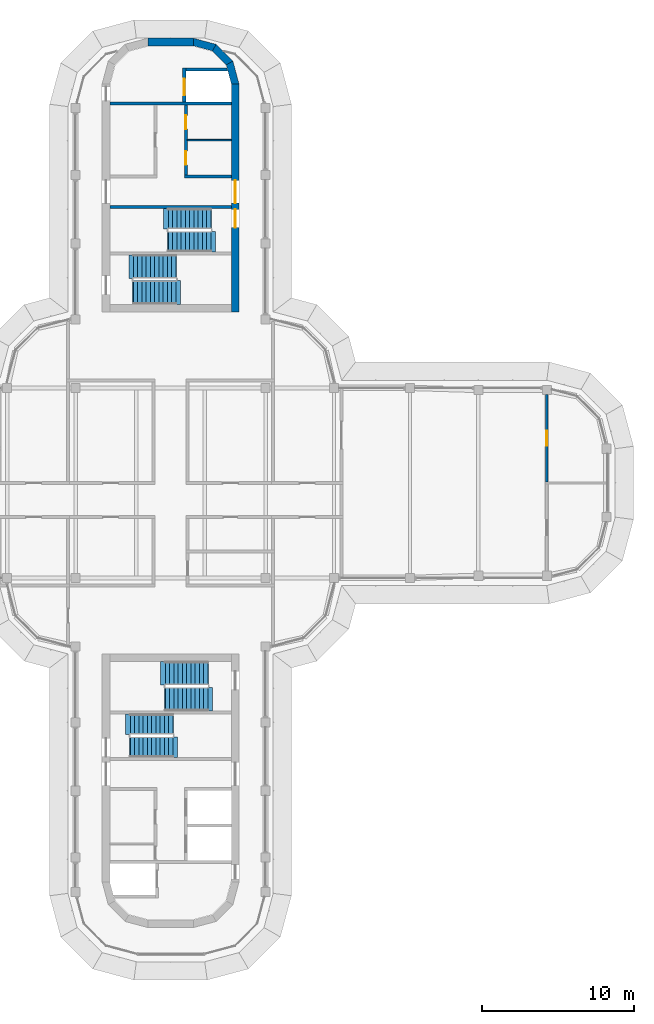
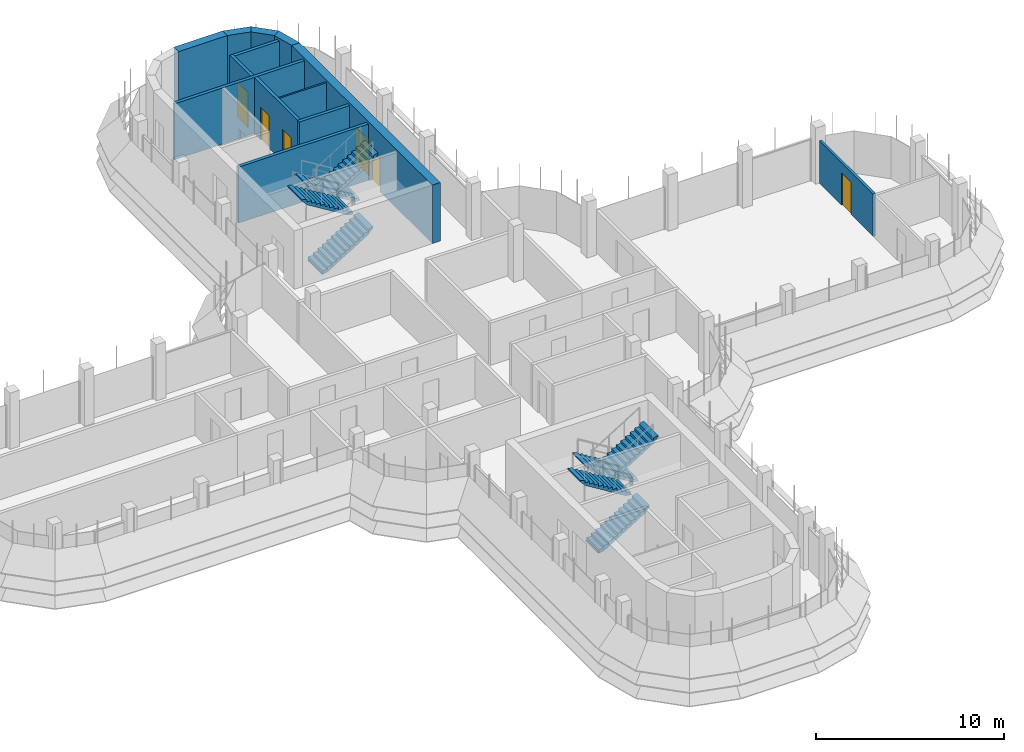
# One storey, part 15 of 19: 13 walls, 8 stair flights, 6 doors, 6 openings, 4 elements without a shape of their own.
"""IFC4 building model written with IfcOpenShell, lengths in metres."""

from ifc_helpers import new_model, si_unit, direction, frame, frame_2d, origin, place, context, subcontext, project, spatial, polyline, rectangle, outline, extrude, material, layer, layer_set, type_object, element, fill, aggregate, save


model = new_model("IFC4")

# Units and contexts
model_context = context("Model", 3, precision=1e-05, world=origin(), true_north=direction((0.0, 1.0)))
body_context = subcontext(model_context, "Body", "Model", "MODEL_VIEW")
ifc_project = project(units=[si_unit("LENGTHUNIT", "METRE"), si_unit("AREAUNIT", "SQUARE_METRE"), si_unit("VOLUMEUNIT", "CUBIC_METRE"), si_unit("PLANEANGLEUNIT", "RADIAN"), si_unit("MASSUNIT", "GRAM", prefix="KILO")], contexts=[model_context])

# Site, building, storey
site_placement = place(None, origin())
site = spatial("IfcSite", under=ifc_project, at=site_placement, CompositionType="ELEMENT")
building_placement = place(site_placement, origin())
building = spatial("IfcBuilding", under=site, at=building_placement, Name="Zarbagh Exchange Tower", CompositionType="ELEMENT")
storey_placement = place(building_placement, frame((0.0, 0.0, 280.199951171875)))
storey = spatial("IfcBuildingStorey", under=building, at=storey_placement, Name="L69", CompositionType="ELEMENT", Elevation=280.199951171875)

# Wall
ifc_material_1 = material(Name="Dense blockwork", Category="masonry")
ifc_layer_1 = layer(ifc_material_1, 0.10009765625)
ifc_layer_set_1 = layer_set([ifc_layer_1], Name="Core partition 100 mm blockwork")
wall_type_1 = type_object("IfcWallType", Name="Core partition 100 mm blockwork", PredefinedType="PARTITIONING", material=ifc_layer_set_1)
wall_1_placement = place(storey_placement, frame((1.10009765625, 22.550048828125, 0.0), z_axis=(0.0, 0.0, 1.0), x_axis=(1.0, 0.0, 0.0)))
element("IfcWall", 1, at=wall_1_placement, inside=storey, type_object=wall_type_1, Name="North core partition wall CUT-E-580", PredefinedType="PARTITIONING", context=body_context, shape_type="SweptSolid", body=[
    extrude(rectangle(XDim=2.89990234375, YDim=0.10009765625, at=frame_2d((1.449951171875, 0.0))), origin(), (0.0, 0.0, 1.0), 3.650146484375),
])

# Wall, opening, door
ifc_material_2 = material(Name="Plasterboard partition")
ifc_layer_2 = layer(ifc_material_2, 0.14990234375)
ifc_layer_set_2 = layer_set([ifc_layer_2], Name="PARTITION 150")
wall_type_2 = type_object("IfcWallType", Name="PARTITION 150", PredefinedType="PARTITIONING", material=ifc_layer_set_2)
wall_2_placement = place(storey_placement, frame((24.75, 5.81005859375, 0.0), z_axis=(0.0, 0.0, 1.0), x_axis=(0.0, -1.0, 0.0)))
wall_2 = element("IfcWall", 2, at=wall_2_placement, inside=storey, type_object=wall_type_2, Name="Partition W-2935", PredefinedType="PARTITIONING", context=body_context, shape_type="SweptSolid", body=[
    extrude(rectangle(XDim=5.735107421875, YDim=0.14990234375, at=frame_2d((2.86767578125, 0.0))), origin(), (0.0, 0.0, 1.0), 2.75),
])
opening_1_placement = place(wall_2_placement, frame((2.367431640625, 0.0, 0.0)))
opening_1 = element("IfcOpeningElement", 3, at=opening_1_placement, cuts=wall_2, Name="Opening D-2901", PredefinedType="OPENING", context=body_context, shape_type="SweptSolid", body=[
    extrude(rectangle(XDim=1.0, YDim=2.10009765625, at=frame_2d((0.5, 1.050048828125))), frame((0.0, 0.0849609375, 0.0), z_axis=(0.0, -1.0, 0.0), x_axis=(1.0, 0.0, 0.0)), (0.0, 0.0, 1.0), 0.169921875),
])
ifc_material_3 = material(Name="Timber door leaf", Category="wood")
door_type_1 = type_object("IfcDoorType", Name="DOOR 1000 X 2100", OperationType="NOTDEFINED", PredefinedType="DOOR", material=ifc_material_3)
door_1_placement = place(opening_1_placement, origin())
door_1 = element("IfcDoor", 4, at=door_1_placement, inside=storey, type_object=door_type_1, Name="Door D-2901", OperationType="SINGLE_SWING_RIGHT", OverallHeight=2.10009765625, OverallWidth=1.0, PredefinedType="DOOR", context=body_context, shape_type="SweptSolid", body=[
    extrude(rectangle(XDim=1.0, YDim=2.10009765625, at=frame_2d((0.5, 1.050048828125))), frame((0.0, 0.02490234375, 0.0), z_axis=(0.0, -1.0, 0.0), x_axis=(1.0, 0.0, 0.0)), (0.0, 0.0, 1.0), 0.050048828125),
])
fill(opening_1, door_1)

# Walls
ifc_material_4 = material(Name="Concrete C40/50", Category="concrete")
ifc_layer_3 = layer(ifc_material_4, 0.5)
ifc_layer_set_3 = layer_set([ifc_layer_3], Name="RC core corner wall 500 C40/50")
wall_type_3 = type_object("IfcWallType", Name="RC core corner wall 500 C40/50", PredefinedType="SHEAR", material=ifc_layer_set_3)
wall_3_placement = place(storey_placement, origin())
element("IfcWall", 5, at=wall_3_placement, inside=storey, type_object=wall_type_3, Name="CW10 core N corner E", PredefinedType="SHEAR", context=body_context, shape_type="SweptSolid", body=[
    extrude(outline(polyline([(4.5, 26.25), (4.09814453125, 27.75), (3.6650390625, 27.5), (4.0, 26.25), (4.5, 26.25)])), origin(), (0.0, 0.0, 1.0), 3.800048828125),
])
wall_4_placement = place(storey_placement, origin())
element("IfcWall", 6, at=wall_4_placement, inside=storey, type_object=wall_type_3, Name="CW10 core N corner E", PredefinedType="SHEAR", context=body_context, shape_type="SweptSolid", body=[
    extrude(outline(polyline([(4.09814453125, 27.75), (3.0, 28.84814453125), (2.75, 28.4150390625), (3.6650390625, 27.5), (4.09814453125, 27.75)])), origin(), (0.0, 0.0, 1.0), 3.800048828125),
])
wall_5_placement = place(storey_placement, origin())
element("IfcWall", 7, at=wall_5_placement, inside=storey, type_object=wall_type_3, Name="CW10 core N corner E", PredefinedType="SHEAR", context=body_context, shape_type="SweptSolid", body=[
    extrude(outline(polyline([(3.0, 28.84814453125), (1.5, 29.25), (1.5, 28.75), (2.75, 28.4150390625), (3.0, 28.84814453125)])), origin(), (0.0, 0.0, 1.0), 3.800048828125),
])

# Wall, openings, doors
ifc_layer_4 = layer(ifc_material_4, 0.5)
ifc_layer_set_4 = layer_set([ifc_layer_4], Name="RC core wall 500 C40/50")
wall_type_4 = type_object("IfcWallType", Name="RC core wall 500 C40/50", PredefinedType="SHEAR", material=ifc_layer_set_4)
wall_6_placement = place(storey_placement, frame((4.25, 11.25, 0.0), z_axis=(0.0, 0.0, 1.0), x_axis=(0.0, 1.0, 0.0)))
wall_6 = element("IfcWall", 8, at=wall_6_placement, inside=storey, type_object=wall_type_4, Name="CW9 core N E", PredefinedType="SHEAR", context=body_context, shape_type="SweptSolid", body=[
    extrude(rectangle(XDim=15.0, YDim=0.5, at=frame_2d((7.5, 0.0))), origin(), (0.0, 0.0, 1.0), 3.800048828125),
])
opening_2_placement = place(wall_6_placement, frame((7.14990234375, 0.0, 0.0)))
opening_2 = element("IfcOpeningElement", 9, at=opening_2_placement, cuts=wall_6, Name="Opening CD1-1500", PredefinedType="OPENING", context=body_context, shape_type="SweptSolid", body=[
    extrude(rectangle(XDim=1.5, YDim=2.300048828125, at=frame_2d((0.75, 1.14990234375))), frame((0.0, 0.260009765625, 0.0), z_axis=(0.0, -1.0, 0.0), x_axis=(1.0, 0.0, 0.0)), (0.0, 0.0, 1.0), 0.52001953125),
])
opening_3_placement = place(wall_6_placement, frame((5.550048828125, 0.0, 0.0)))
opening_3 = element("IfcOpeningElement", 10, at=opening_3_placement, cuts=wall_6, Name="Opening SD1-1200", PredefinedType="OPENING", context=body_context, shape_type="SweptSolid", body=[
    extrude(rectangle(XDim=1.199951171875, YDim=2.10009765625, at=frame_2d((0.60009765625, 1.050048828125))), frame((0.0, 0.260009765625, 0.0), z_axis=(0.0, -1.0, 0.0), x_axis=(1.0, 0.0, 0.0)), (0.0, 0.0, 1.0), 0.52001953125),
])
ifc_material_5 = material(Name="Steel", Category="steel")
door_type_2 = type_object("IfcDoorType", Name="Exit stair door 1200 x 2100", OperationType="NOTDEFINED", PredefinedType="DOOR", material=ifc_material_5)
door_2_placement = place(opening_3_placement, origin())
door_2 = element("IfcDoor", 11, at=door_2_placement, inside=storey, type_object=door_type_2, Name="North core stair door ST1", OperationType="SINGLE_SWING_LEFT", OverallHeight=2.10009765625, OverallWidth=1.199951171875, PredefinedType="DOOR", context=body_context, shape_type="SweptSolid", body=[
    extrude(rectangle(XDim=1.199951171875, YDim=2.10009765625, at=frame_2d((0.60009765625, 1.050048828125))), frame((0.0, 0.02490234375, 0.0), z_axis=(0.0, -1.0, 0.0), x_axis=(1.0, 0.0, 0.0)), (0.0, 0.0, 1.0), 0.050048828125),
])
fill(opening_3, door_2)
door_type_3 = type_object("IfcDoorType", Name="Lift lobby double door 1500 x 2300", OperationType="NOTDEFINED", PredefinedType="DOOR", material=ifc_material_5)
door_3_placement = place(opening_2_placement, origin())
door_3 = element("IfcDoor", 12, at=door_3_placement, inside=storey, type_object=door_type_3, Name="North core lift lobby door LOBBY-E", OperationType="DOUBLE_DOOR_SINGLE_SWING", OverallHeight=2.300048828125, OverallWidth=1.5, PredefinedType="DOOR", context=body_context, shape_type="SweptSolid", body=[
    extrude(rectangle(XDim=1.5, YDim=2.300048828125, at=frame_2d((0.75, 1.14990234375))), frame((0.0, 0.02490234375, 0.0), z_axis=(0.0, -1.0, 0.0), x_axis=(1.0, 0.0, 0.0)), (0.0, 0.0, 1.0), 0.050048828125),
])
fill(opening_2, door_3)

# Walls
wall_7_placement = place(storey_placement, frame((-1.5, 29.0, 0.0), z_axis=(0.0, 0.0, 1.0), x_axis=(1.0, 0.0, 0.0)))
element("IfcWall", 13, at=wall_7_placement, inside=storey, type_object=wall_type_4, Name="CW9 core N outer end", PredefinedType="SHEAR", context=body_context, shape_type="SweptSolid", body=[
    extrude(rectangle(XDim=3.0, YDim=0.5, at=frame_2d((1.5, 0.0))), origin(), (0.0, 0.0, 1.0), 3.800048828125),
])
ifc_layer_5 = layer(ifc_material_1, 0.199951171875)
ifc_layer_set_5 = layer_set([ifc_layer_5], Name="Shaft wall 200 mm blockwork")
wall_type_5 = type_object("IfcWallType", Name="Shaft wall 200 mm blockwork", PredefinedType="PARTITIONING", material=ifc_layer_set_5)
wall_8_placement = place(storey_placement, frame((0.89990234375, 20.14990234375, 0.0), z_axis=(0.0, 0.0, 1.0), x_axis=(1.0, 0.0, 0.0)))
element("IfcWall", 14, at=wall_8_placement, inside=storey, type_object=wall_type_5, Name="North core shaft wall AB-E", PredefinedType="PARTITIONING", context=body_context, shape_type="SweptSolid", body=[
    extrude(rectangle(XDim=3.10009765625, YDim=0.199951171875, at=frame_2d((1.550048828125, 0.0))), origin(), (0.0, 0.0, 1.0), 3.650146484375),
])

# Wall, openings, doors
wall_9_placement = place(storey_placement, frame((1.0, 24.85009765625, 0.0), z_axis=(0.0, 0.0, 1.0), x_axis=(0.0, -1.0, 0.0)))
wall_9 = element("IfcWall", 15, at=wall_9_placement, inside=storey, type_object=wall_type_5, Name="North core shaft wall LW-E", PredefinedType="PARTITIONING", context=body_context, shape_type="SweptSolid", body=[
    extrude(rectangle(XDim=4.60009765625, YDim=0.199951171875, at=frame_2d((2.300048828125, 0.0))), origin(), (0.0, 0.0, 1.0), 3.650146484375),
])
opening_4_placement = place(wall_9_placement, frame((0.675048828125, 0.0, 0.0)))
opening_4 = element("IfcOpeningElement", 16, at=opening_4_placement, cuts=wall_9, Name="Opening CD3-900", PredefinedType="OPENING", context=body_context, shape_type="SweptSolid", body=[
    extrude(rectangle(XDim=0.89990234375, YDim=2.10009765625, at=frame_2d((0.449951171875, 1.050048828125))), frame((0.0, 0.10986328125, 0.0), z_axis=(0.0, -1.0, 0.0), x_axis=(1.0, 0.0, 0.0)), (0.0, 0.0, 1.0), 0.219970703125),
])
opening_5_placement = place(wall_9_placement, frame((3.02490234375, 0.0, 0.0)))
opening_5 = element("IfcOpeningElement", 17, at=opening_5_placement, cuts=wall_9, Name="Opening CD3-900", PredefinedType="OPENING", context=body_context, shape_type="SweptSolid", body=[
    extrude(rectangle(XDim=0.89990234375, YDim=2.10009765625, at=frame_2d((0.449951171875, 1.050048828125))), frame((0.0, 0.10986328125, 0.0), z_axis=(0.0, -1.0, 0.0), x_axis=(1.0, 0.0, 0.0)), (0.0, 0.0, 1.0), 0.219970703125),
])
door_type_4 = type_object("IfcDoorType", Name="Core room door 900 x 2100", OperationType="NOTDEFINED", PredefinedType="DOOR", material=ifc_material_5)
door_4_placement = place(opening_4_placement, origin())
door_4 = element("IfcDoor", 18, at=door_4_placement, inside=storey, type_object=door_type_4, Name="North core Staff WC door RD-E-0", OperationType="SINGLE_SWING_LEFT", OverallHeight=2.10009765625, OverallWidth=0.89990234375, PredefinedType="DOOR", context=body_context, shape_type="SweptSolid", body=[
    extrude(rectangle(XDim=0.89990234375, YDim=2.10009765625, at=frame_2d((0.449951171875, 1.050048828125))), frame((0.0, 0.02490234375, 0.0), z_axis=(0.0, -1.0, 0.0), x_axis=(1.0, 0.0, 0.0)), (0.0, 0.0, 1.0), 0.050048828125),
])
fill(opening_4, door_4)
door_5_placement = place(opening_5_placement, origin())
door_5 = element("IfcDoor", 19, at=door_5_placement, inside=storey, type_object=door_type_4, Name="North core Accessible WC door RD-E-1", OperationType="SINGLE_SWING_RIGHT", OverallHeight=2.10009765625, OverallWidth=0.89990234375, PredefinedType="DOOR", context=body_context, shape_type="SweptSolid", body=[
    extrude(rectangle(XDim=0.89990234375, YDim=2.10009765625, at=frame_2d((0.449951171875, 1.050048828125))), frame((0.0, 0.02490234375, 0.0), z_axis=(0.0, -1.0, 0.0), x_axis=(1.0, 0.0, 0.0)), (0.0, 0.0, 1.0), 0.050048828125),
])
fill(opening_5, door_5)

# Wall
ifc_layer_6 = layer(ifc_material_4, 0.199951171875)
ifc_layer_set_6 = layer_set([ifc_layer_6], Name="Stair enclosure wall 200 mm RC C40/50")
wall_type_6 = type_object("IfcWallType", Name="Stair enclosure wall 200 mm RC C40/50", PredefinedType="SHEAR", material=ifc_layer_set_6)
wall_10_placement = place(storey_placement, frame((-4.0, 24.949951171875, 0.0), z_axis=(0.0, 0.0, 1.0), x_axis=(1.0, 0.0, 0.0)))
element("IfcWall", 20, at=wall_10_placement, inside=storey, type_object=wall_type_6, Name="North core lift shaft wall FFA", PredefinedType="SHEAR", context=body_context, shape_type="SweptSolid", body=[
    extrude(rectangle(XDim=8.0, YDim=0.199951171875, at=frame_2d((4.0, 0.0))), origin(), (0.0, 0.0, 1.0), 3.650146484375),
])

# Wall, opening, door
wall_11_placement = place(storey_placement, frame((0.89990234375, 27.300048828125, 0.0), z_axis=(0.0, 0.0, 1.0), x_axis=(0.0, -1.0, 0.0)))
wall_11 = element("IfcWall", 21, at=wall_11_placement, inside=storey, type_object=wall_type_6, Name="North core lift shaft wall FFL", PredefinedType="SHEAR", context=body_context, shape_type="SweptSolid", body=[
    extrude(rectangle(XDim=2.25, YDim=0.199951171875, at=frame_2d((1.125, 0.0))), origin(), (0.0, 0.0, 1.0), 3.650146484375),
])
opening_6_placement = place(wall_11_placement, frame((0.699951171875, 0.0, 0.0)))
opening_6 = element("IfcOpeningElement", 22, at=opening_6_placement, cuts=wall_11, Name="Opening LD-1100", PredefinedType="OPENING", context=body_context, shape_type="SweptSolid", body=[
    extrude(rectangle(XDim=1.10009765625, YDim=2.300048828125, at=frame_2d((0.550048828125, 1.14990234375))), frame((0.0, 0.10986328125, 0.0), z_axis=(0.0, -1.0, 0.0), x_axis=(1.0, 0.0, 0.0)), (0.0, 0.0, 1.0), 0.219970703125),
])
ifc_material_6 = material(Name="Stainless steel", Category="steel")
door_type_5 = type_object("IfcDoorType", Name="Lift landing door 1100 x 2300", OperationType="NOTDEFINED", PredefinedType="DOOR", material=ifc_material_6)
door_6_placement = place(opening_6_placement, origin())
door_6 = element("IfcDoor", 23, at=door_6_placement, inside=storey, type_object=door_type_5, Name="North core lift landing door LD-F", OperationType="DOUBLE_DOOR_SLIDING", OverallHeight=2.300048828125, OverallWidth=1.10009765625, PredefinedType="DOOR", context=body_context, shape_type="SweptSolid", body=[
    extrude(rectangle(XDim=1.10009765625, YDim=2.300048828125, at=frame_2d((0.550048828125, 1.14990234375))), frame((0.0, 0.02490234375, 0.0), z_axis=(0.0, -1.0, 0.0), x_axis=(1.0, 0.0, 0.0)), (0.0, 0.0, 1.0), 0.050048828125),
])
fill(opening_6, door_6)

# Walls
wall_12_placement = place(storey_placement, origin())
element("IfcWall", 24, at=wall_12_placement, inside=storey, type_object=wall_type_6, Name="North core lift shaft wall FFX", PredefinedType="SHEAR", context=body_context, shape_type="SweptSolid", body=[
    extrude(outline(polyline([(1.0, 27.10009765625), (3.754638671875, 27.10009765625), (3.700927734375, 27.300048828125), (1.0, 27.300048828125), (1.0, 27.10009765625)])), origin(), (0.0, 0.0, 1.0), 3.650146484375),
])
wall_13_placement = place(storey_placement, frame((-4.0, 18.14990234375, 0.0), z_axis=(0.0, 0.0, 1.0), x_axis=(1.0, 0.0, 0.0)))
element("IfcWall", 25, at=wall_13_placement, inside=storey, type_object=wall_type_6, Name="North core stair wall BS", PredefinedType="SHEAR", context=body_context, shape_type="SweptSolid", body=[
    extrude(rectangle(XDim=8.0, YDim=0.199951171875, at=frame_2d((4.0, 0.0))), origin(), (0.0, 0.0, 1.0), 3.650146484375),
])

# Stair, stair flights
stair_type = type_object("IfcStairType", Name="Exit stair two-flight half-turn", PredefinedType="HALF_TURN_STAIR", material=ifc_material_4)
stair_1_placement = place(storey_placement, origin())
stair_1 = element("IfcStair", 26, at=stair_1_placement, inside=storey, type_object=stair_type, Name="exit stair ST1", PredefinedType="HALF_TURN_STAIR")
stair_flight_type_1 = type_object("IfcStairFlightType", Name="Stair flight 1350 mm", PredefinedType="STRAIGHT", material=ifc_material_4)
stair_flight_1_placement = place(storey_placement, frame((2.64990234375, 17.375, 0.0), z_axis=(0.0, 0.0, 1.0), x_axis=(-1.0, 0.0, 0.0)))
stair_flight_1 = element("IfcStairFlight", 27, at=stair_flight_1_placement, type_object=stair_flight_type_1, Name="ST1 flight 1", NumberOfRisers=11, NumberOfTreads=10, PredefinedType="STRAIGHT", RiserHeight=0.172727273, TreadLength=0.28, context=body_context, shape_type="SweptSolid", body=[
    extrude(outline(polyline([(-0.050048828125, -0.050048828125), (-0.050048828125, 0.0), (0.0, 0.0), (0.0, 0.172607421875), (0.280029296875, 0.172607421875), (0.280029296875, 0.345458984375), (0.56005859375, 0.345458984375), (0.56005859375, 0.51806640625), (0.840087890625, 0.51806640625), (0.840087890625, 0.69091796875), (1.1201171875, 0.69091796875), (1.1201171875, 0.863525390625), (1.39990234375, 0.863525390625), (1.39990234375, 1.036376953125), (1.679931640625, 1.036376953125), (1.679931640625, 1.208984375), (1.9599609375, 1.208984375), (1.9599609375, 1.3818359375), (2.239990234375, 1.3818359375), (2.239990234375, 1.554443359375), (2.52001953125, 1.554443359375), (2.52001953125, 1.727294921875), (2.800048828125, 1.727294921875), (2.800048828125, 1.89990234375), (3.10009765625, 1.97998046875), (3.10009765625, 1.89990234375), (2.800048828125, 1.551025390625), (0.285400390625, 0.0), (-0.050048828125, -0.050048828125)])), frame((0.0, 0.675048828125, 0.0), z_axis=(0.0, -1.0, 0.0), x_axis=(1.0, 0.0, 0.0)), (0.0, 0.0, 1.0), 1.35009765625),
])
stair_flight_2_placement = place(storey_placement, frame((-0.14990234375, 15.875, 1.900146484375), z_axis=(0.0, 0.0, 1.0), x_axis=(1.0, 0.0, 0.0)))
stair_flight_2 = element("IfcStairFlight", 28, at=stair_flight_2_placement, type_object=stair_flight_type_1, Name="ST1 flight 2", NumberOfRisers=11, NumberOfTreads=10, PredefinedType="STRAIGHT", RiserHeight=0.172727273, TreadLength=0.28, context=body_context, shape_type="SweptSolid", body=[
    extrude(outline(polyline([(-0.050048828125, -0.050048828125), (-0.050048828125, 0.0), (0.0, 0.0), (0.0, 0.172607421875), (0.280029296875, 0.172607421875), (0.280029296875, 0.345458984375), (0.56005859375, 0.345458984375), (0.56005859375, 0.51806640625), (0.840087890625, 0.51806640625), (0.840087890625, 0.69091796875), (1.1201171875, 0.69091796875), (1.1201171875, 0.863525390625), (1.39990234375, 0.863525390625), (1.39990234375, 1.036376953125), (1.679931640625, 1.036376953125), (1.679931640625, 1.208984375), (1.9599609375, 1.208984375), (1.9599609375, 1.3818359375), (2.239990234375, 1.3818359375), (2.239990234375, 1.554443359375), (2.52001953125, 1.554443359375), (2.52001953125, 1.727294921875), (2.800048828125, 1.727294921875), (2.800048828125, 1.89990234375), (3.10009765625, 1.97998046875), (3.10009765625, 1.89990234375), (2.800048828125, 1.551025390625), (0.285400390625, 0.0), (-0.050048828125, -0.050048828125)])), frame((0.0, 0.675048828125, 0.0), z_axis=(0.0, -1.0, 0.0), x_axis=(1.0, 0.0, 0.0)), (0.0, 0.0, 1.0), 1.35009765625),
])
aggregate(stair_1, [stair_flight_1, stair_flight_2])

stair_2_placement = place(storey_placement, origin())
stair_2 = element("IfcStair", 29, at=stair_2_placement, inside=storey, type_object=stair_type, Name="exit stair ST3", PredefinedType="HALF_TURN_STAIR")
stair_flight_3_placement = place(storey_placement, frame((-2.64990234375, -17.375, 0.0), z_axis=(0.0, 0.0, 1.0), x_axis=(1.0, 0.0, 0.0)))
stair_flight_3 = element("IfcStairFlight", 30, at=stair_flight_3_placement, type_object=stair_flight_type_1, Name="ST3 flight 1", NumberOfRisers=11, NumberOfTreads=10, PredefinedType="STRAIGHT", RiserHeight=0.172727273, TreadLength=0.28, context=body_context, shape_type="SweptSolid", body=[
    extrude(outline(polyline([(-0.050048828125, -0.050048828125), (-0.050048828125, 0.0), (0.0, 0.0), (0.0, 0.172607421875), (0.280029296875, 0.172607421875), (0.280029296875, 0.345458984375), (0.56005859375, 0.345458984375), (0.56005859375, 0.51806640625), (0.840087890625, 0.51806640625), (0.840087890625, 0.69091796875), (1.1201171875, 0.69091796875), (1.1201171875, 0.863525390625), (1.39990234375, 0.863525390625), (1.39990234375, 1.036376953125), (1.679931640625, 1.036376953125), (1.679931640625, 1.208984375), (1.9599609375, 1.208984375), (1.9599609375, 1.3818359375), (2.239990234375, 1.3818359375), (2.239990234375, 1.554443359375), (2.52001953125, 1.554443359375), (2.52001953125, 1.727294921875), (2.800048828125, 1.727294921875), (2.800048828125, 1.89990234375), (3.10009765625, 1.97998046875), (3.10009765625, 1.89990234375), (2.800048828125, 1.551025390625), (0.285400390625, 0.0), (-0.050048828125, -0.050048828125)])), frame((0.0, 0.675048828125, 0.0), z_axis=(0.0, -1.0, 0.0), x_axis=(1.0, 0.0, 0.0)), (0.0, 0.0, 1.0), 1.35009765625),
])
stair_flight_4_placement = place(storey_placement, frame((0.14990234375, -15.875, 1.900146484375), z_axis=(0.0, 0.0, 1.0), x_axis=(-1.0, 0.0, 0.0)))
stair_flight_4 = element("IfcStairFlight", 31, at=stair_flight_4_placement, type_object=stair_flight_type_1, Name="ST3 flight 2", NumberOfRisers=11, NumberOfTreads=10, PredefinedType="STRAIGHT", RiserHeight=0.172727273, TreadLength=0.28, context=body_context, shape_type="SweptSolid", body=[
    extrude(outline(polyline([(-0.050048828125, -0.050048828125), (-0.050048828125, 0.0), (0.0, 0.0), (0.0, 0.172607421875), (0.280029296875, 0.172607421875), (0.280029296875, 0.345458984375), (0.56005859375, 0.345458984375), (0.56005859375, 0.51806640625), (0.840087890625, 0.51806640625), (0.840087890625, 0.69091796875), (1.1201171875, 0.69091796875), (1.1201171875, 0.863525390625), (1.39990234375, 0.863525390625), (1.39990234375, 1.036376953125), (1.679931640625, 1.036376953125), (1.679931640625, 1.208984375), (1.9599609375, 1.208984375), (1.9599609375, 1.3818359375), (2.239990234375, 1.3818359375), (2.239990234375, 1.554443359375), (2.52001953125, 1.554443359375), (2.52001953125, 1.727294921875), (2.800048828125, 1.727294921875), (2.800048828125, 1.89990234375), (3.10009765625, 1.97998046875), (3.10009765625, 1.89990234375), (2.800048828125, 1.551025390625), (0.285400390625, 0.0), (-0.050048828125, -0.050048828125)])), frame((0.0, 0.675048828125, 0.0), z_axis=(0.0, -1.0, 0.0), x_axis=(1.0, 0.0, 0.0)), (0.0, 0.0, 1.0), 1.35009765625),
])
aggregate(stair_2, [stair_flight_3, stair_flight_4])

stair_3_placement = place(storey_placement, origin())
stair_3 = element("IfcStair", 32, at=stair_3_placement, inside=storey, type_object=stair_type, Name="exit stair ST2", PredefinedType="HALF_TURN_STAIR")
stair_flight_type_2 = type_object("IfcStairFlightType", Name="Stair flight 1550 mm", PredefinedType="STRAIGHT", material=ifc_material_4)
stair_flight_5_placement = place(storey_placement, frame((-2.449951171875, 12.52490234375, 0.0), z_axis=(0.0, 0.0, 1.0), x_axis=(1.0, 0.0, 0.0)))
stair_flight_5 = element("IfcStairFlight", 33, at=stair_flight_5_placement, type_object=stair_flight_type_2, Name="ST2 flight 1", NumberOfRisers=11, NumberOfTreads=10, PredefinedType="STRAIGHT", RiserHeight=0.172727273, TreadLength=0.28, context=body_context, shape_type="SweptSolid", body=[
    extrude(outline(polyline([(-0.050048828125, -0.050048828125), (-0.050048828125, 0.0), (0.0, 0.0), (0.0, 0.172607421875), (0.280029296875, 0.172607421875), (0.280029296875, 0.345458984375), (0.56005859375, 0.345458984375), (0.56005859375, 0.51806640625), (0.840087890625, 0.51806640625), (0.840087890625, 0.69091796875), (1.1201171875, 0.69091796875), (1.1201171875, 0.863525390625), (1.39990234375, 0.863525390625), (1.39990234375, 1.036376953125), (1.679931640625, 1.036376953125), (1.679931640625, 1.208984375), (1.9599609375, 1.208984375), (1.9599609375, 1.3818359375), (2.239990234375, 1.3818359375), (2.239990234375, 1.554443359375), (2.52001953125, 1.554443359375), (2.52001953125, 1.727294921875), (2.800048828125, 1.727294921875), (2.800048828125, 1.89990234375), (3.10009765625, 1.97998046875), (3.10009765625, 1.89990234375), (2.800048828125, 1.551025390625), (0.285400390625, 0.0), (-0.050048828125, -0.050048828125)])), frame((0.0, 0.77490234375, 0.0), z_axis=(0.0, -1.0, 0.0), x_axis=(1.0, 0.0, 0.0)), (0.0, 0.0, 1.0), 1.550048828125),
])
stair_flight_6_placement = place(storey_placement, frame((0.35009765625, 14.22509765625, 1.900146484375), z_axis=(0.0, 0.0, 1.0), x_axis=(-1.0, 0.0, 0.0)))
stair_flight_6 = element("IfcStairFlight", 34, at=stair_flight_6_placement, type_object=stair_flight_type_2, Name="ST2 flight 2", NumberOfRisers=11, NumberOfTreads=10, PredefinedType="STRAIGHT", RiserHeight=0.172727273, TreadLength=0.28, context=body_context, shape_type="SweptSolid", body=[
    extrude(outline(polyline([(-0.050048828125, -0.050048828125), (-0.050048828125, 0.0), (0.0, 0.0), (0.0, 0.172607421875), (0.280029296875, 0.172607421875), (0.280029296875, 0.345458984375), (0.56005859375, 0.345458984375), (0.56005859375, 0.51806640625), (0.840087890625, 0.51806640625), (0.840087890625, 0.69091796875), (1.1201171875, 0.69091796875), (1.1201171875, 0.863525390625), (1.39990234375, 0.863525390625), (1.39990234375, 1.036376953125), (1.679931640625, 1.036376953125), (1.679931640625, 1.208984375), (1.9599609375, 1.208984375), (1.9599609375, 1.3818359375), (2.239990234375, 1.3818359375), (2.239990234375, 1.554443359375), (2.52001953125, 1.554443359375), (2.52001953125, 1.727294921875), (2.800048828125, 1.727294921875), (2.800048828125, 1.89990234375), (3.10009765625, 1.97998046875), (3.10009765625, 1.89990234375), (2.800048828125, 1.551025390625), (0.285400390625, 0.0), (-0.050048828125, -0.050048828125)])), frame((0.0, 0.77490234375, 0.0), z_axis=(0.0, -1.0, 0.0), x_axis=(1.0, 0.0, 0.0)), (0.0, 0.0, 1.0), 1.550048828125),
])
aggregate(stair_3, [stair_flight_5, stair_flight_6])

stair_4_placement = place(storey_placement, origin())
stair_4 = element("IfcStair", 35, at=stair_4_placement, inside=storey, type_object=stair_type, Name="exit stair ST4", PredefinedType="HALF_TURN_STAIR")
stair_flight_7_placement = place(storey_placement, frame((2.449951171875, -12.52490234375, 0.0), z_axis=(0.0, 0.0, 1.0), x_axis=(-1.0, 0.0, 0.0)))
stair_flight_7 = element("IfcStairFlight", 36, at=stair_flight_7_placement, type_object=stair_flight_type_2, Name="ST4 flight 1", NumberOfRisers=11, NumberOfTreads=10, PredefinedType="STRAIGHT", RiserHeight=0.172727273, TreadLength=0.28, context=body_context, shape_type="SweptSolid", body=[
    extrude(outline(polyline([(-0.050048828125, -0.050048828125), (-0.050048828125, 0.0), (0.0, 0.0), (0.0, 0.172607421875), (0.280029296875, 0.172607421875), (0.280029296875, 0.345458984375), (0.56005859375, 0.345458984375), (0.56005859375, 0.51806640625), (0.840087890625, 0.51806640625), (0.840087890625, 0.69091796875), (1.1201171875, 0.69091796875), (1.1201171875, 0.863525390625), (1.39990234375, 0.863525390625), (1.39990234375, 1.036376953125), (1.679931640625, 1.036376953125), (1.679931640625, 1.208984375), (1.9599609375, 1.208984375), (1.9599609375, 1.3818359375), (2.239990234375, 1.3818359375), (2.239990234375, 1.554443359375), (2.52001953125, 1.554443359375), (2.52001953125, 1.727294921875), (2.800048828125, 1.727294921875), (2.800048828125, 1.89990234375), (3.10009765625, 1.97998046875), (3.10009765625, 1.89990234375), (2.800048828125, 1.551025390625), (0.285400390625, 0.0), (-0.050048828125, -0.050048828125)])), frame((0.0, 0.77490234375, 0.0), z_axis=(0.0, -1.0, 0.0), x_axis=(1.0, 0.0, 0.0)), (0.0, 0.0, 1.0), 1.550048828125),
])
stair_flight_8_placement = place(storey_placement, frame((-0.35009765625, -14.22509765625, 1.900146484375), z_axis=(0.0, 0.0, 1.0), x_axis=(1.0, 0.0, 0.0)))
stair_flight_8 = element("IfcStairFlight", 37, at=stair_flight_8_placement, type_object=stair_flight_type_2, Name="ST4 flight 2", NumberOfRisers=11, NumberOfTreads=10, PredefinedType="STRAIGHT", RiserHeight=0.172727273, TreadLength=0.28, context=body_context, shape_type="SweptSolid", body=[
    extrude(outline(polyline([(-0.050048828125, -0.050048828125), (-0.050048828125, 0.0), (0.0, 0.0), (0.0, 0.172607421875), (0.280029296875, 0.172607421875), (0.280029296875, 0.345458984375), (0.56005859375, 0.345458984375), (0.56005859375, 0.51806640625), (0.840087890625, 0.51806640625), (0.840087890625, 0.69091796875), (1.1201171875, 0.69091796875), (1.1201171875, 0.863525390625), (1.39990234375, 0.863525390625), (1.39990234375, 1.036376953125), (1.679931640625, 1.036376953125), (1.679931640625, 1.208984375), (1.9599609375, 1.208984375), (1.9599609375, 1.3818359375), (2.239990234375, 1.3818359375), (2.239990234375, 1.554443359375), (2.52001953125, 1.554443359375), (2.52001953125, 1.727294921875), (2.800048828125, 1.727294921875), (2.800048828125, 1.89990234375), (3.10009765625, 1.97998046875), (3.10009765625, 1.89990234375), (2.800048828125, 1.551025390625), (0.285400390625, 0.0), (-0.050048828125, -0.050048828125)])), frame((0.0, 0.77490234375, 0.0), z_axis=(0.0, -1.0, 0.0), x_axis=(1.0, 0.0, 0.0)), (0.0, 0.0, 1.0), 1.550048828125),
])
aggregate(stair_4, [stair_flight_7, stair_flight_8])

save(model, "model.ifc")
